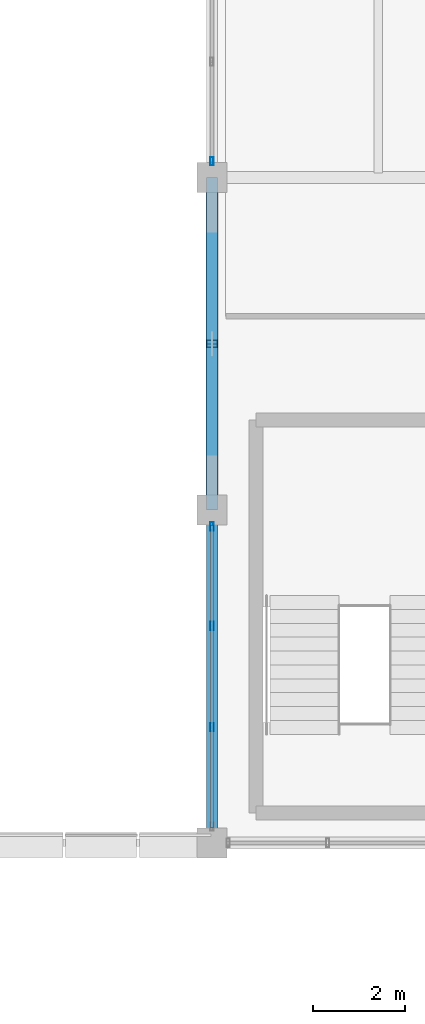
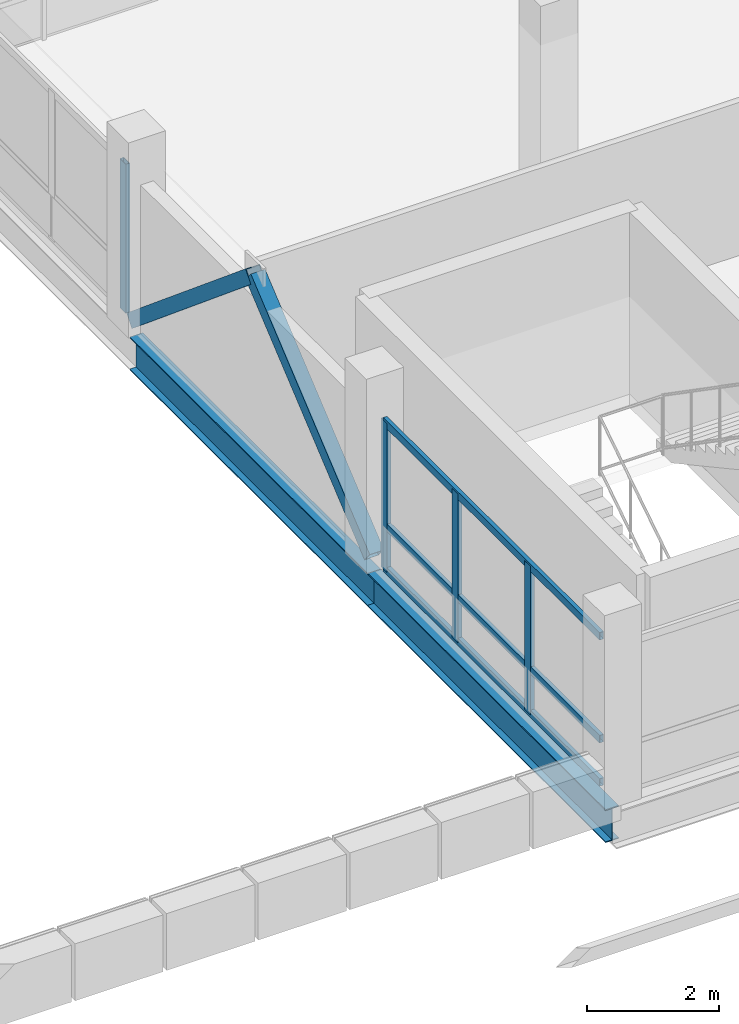
# One storey, part 36 of 96: 9 members, 2 beams, 2 elements without a shape of their own.
"""IFC4 building model written with IfcOpenShell, lengths in metres."""

from ifc_helpers import new_model, si_unit, direction, frame, origin, origin_2d, place, context, subcontext, project, spatial, hollow_rectangle, i_section, extrude, material, material_profile, profile_set, type_object, element, aggregate, save


model = new_model("IFC4")

# Units and contexts
model_context = context("Model", 3, precision=1e-05, world=origin(), true_north=direction((0.0, 1.0)))
body_context = subcontext(model_context, "Body", "Model", "MODEL_VIEW")
ifc_project = project(units=[si_unit("LENGTHUNIT", "METRE"), si_unit("AREAUNIT", "SQUARE_METRE"), si_unit("VOLUMEUNIT", "CUBIC_METRE"), si_unit("PLANEANGLEUNIT", "RADIAN"), si_unit("MASSUNIT", "GRAM", prefix="KILO")], contexts=[model_context])

# Site, building, storey
site_placement = place(None, origin())
site = spatial("IfcSite", under=ifc_project, at=site_placement, CompositionType="ELEMENT")
building_placement = place(site_placement, origin())
building = spatial("IfcBuilding", under=site, at=building_placement, Name="Yarey Park Central Fire Station", CompositionType="ELEMENT")
storey_placement = place(building_placement, frame((0.0, 0.0, 14.39990234375)))
storey = spatial("IfcBuildingStorey", under=building, at=storey_placement, Name="L04", CompositionType="ELEMENT", Elevation=14.39990234375)

# Curtain wall, members
ifc_material_1 = material(Name="Anodized Aluminium Frame", Category="aluminium")
curtain_wall_type = type_object("IfcCurtainWallType", Name="ENV_CW_HQ_L04", PredefinedType="NOTDEFINED", material=ifc_material_1)
curtain_wall_1_placement = place(storey_placement, origin())
curtain_wall_1 = element("IfcCurtainWall", 1, at=curtain_wall_1_placement, inside=storey, type_object=curtain_wall_type, Name="CW_L04_V4_W_93", PredefinedType="NOTDEFINED")
ifc_material_profile_1 = material_profile(ifc_material_1, hollow_rectangle(XDim=0.070068359375, YDim=0.179931640625, WallThickness=0.00390625, at=origin_2d()), Name="ALU 180x70x4")
ifc_profile_set_1 = profile_set([ifc_material_profile_1], Name="Anodized Aluminium Frame")
member_type_1 = type_object("IfcMemberType", Name="ENV_CW_MULLION", PredefinedType="MULLION", material=ifc_profile_set_1)
member_1_placement = place(storey_placement, frame((115.199951171875, 100.449951171875, 0.0), z_axis=(0.0, 0.0, 1.0), x_axis=(1.0, 0.0, 0.0)))
member_1 = element("IfcMember", 2, at=member_1_placement, type_object=member_type_1, Name="CW_L04_V4_W_93_MUL1", PredefinedType="MULLION", context=body_context, shape_type="SweptSolid", body=[
    extrude(hollow_rectangle(XDim=0.070068359375, YDim=0.179931640625, WallThickness=0.00390625, at=origin_2d()), origin(), (0.0, 0.0, 1.0), 2.75),
])
member_2_placement = place(storey_placement, frame((115.199951171875, 98.296630859375, 0.0), z_axis=(0.0, 0.0, 1.0), x_axis=(1.0, 0.0, 0.0)))
member_2 = element("IfcMember", 3, at=member_2_placement, type_object=member_type_1, Name="CW_L04_V4_W_93_MUL2", PredefinedType="MULLION", context=body_context, shape_type="SweptSolid", body=[
    extrude(hollow_rectangle(XDim=0.070068359375, YDim=0.179931640625, WallThickness=0.00390625, at=origin_2d()), origin(), (0.0, 0.0, 1.0), 2.75),
])
member_3_placement = place(storey_placement, frame((115.199951171875, 96.103271484375, 0.0), z_axis=(0.0, 0.0, 1.0), x_axis=(1.0, 0.0, 0.0)))
member_3 = element("IfcMember", 4, at=member_3_placement, type_object=member_type_1, Name="CW_L04_V4_W_93_MUL3", PredefinedType="MULLION", context=body_context, shape_type="SweptSolid", body=[
    extrude(hollow_rectangle(XDim=0.070068359375, YDim=0.179931640625, WallThickness=0.00390625, at=origin_2d()), origin(), (0.0, 0.0, 1.0), 2.75),
])

# Curtain wall, member
curtain_wall_2_placement = place(storey_placement, origin())
curtain_wall_2 = element("IfcCurtainWall", 5, at=curtain_wall_2_placement, inside=storey, type_object=curtain_wall_type, Name="CW_L04_V4_W_108", PredefinedType="NOTDEFINED")
member_4_placement = place(storey_placement, frame((115.199951171875, 108.35009765625, 0.0), z_axis=(0.0, 0.0, 1.0), x_axis=(1.0, 0.0, 0.0)))
member_4 = element("IfcMember", 6, at=member_4_placement, type_object=member_type_1, Name="CW_L04_V4_W_108_MUL4", PredefinedType="MULLION", context=body_context, shape_type="SweptSolid", body=[
    extrude(hollow_rectangle(XDim=0.070068359375, YDim=0.179931640625, WallThickness=0.00390625, at=origin_2d()), origin(), (0.0, 0.0, 1.0), 2.75),
])
aggregate(curtain_wall_2, [member_4])

# Member
ifc_material_profile_2 = material_profile(ifc_material_1, hollow_rectangle(XDim=0.070068359375, YDim=0.139892578125, WallThickness=0.00390625, at=origin_2d()), Name="ALU 140x70x4")
ifc_profile_set_2 = profile_set([ifc_material_profile_2], Name="Anodized Aluminium Frame")
member_type_2 = type_object("IfcMemberType", Name="ENV_CW_TRANSOM", PredefinedType="USERDEFINED", material=ifc_profile_set_2)
member_5_placement = place(storey_placement, frame((115.199951171875, 100.47509765625, 0.025146484375), z_axis=(0.0, -1.0, 0.0), x_axis=(1.0, 0.0, 0.0)))
member_5 = element("IfcMember", 7, at=member_5_placement, type_object=member_type_2, Name="CW_L04_V4_W_93_TRN1", ObjectType="TRANSOM", PredefinedType="USERDEFINED", context=body_context, shape_type="SweptSolid", body=[
    extrude(hollow_rectangle(XDim=0.070068359375, YDim=0.139892578125, WallThickness=0.00390625, at=origin_2d()), origin(), (0.0, 0.0, 1.0), 6.550048828125),
])

member_6_placement = place(storey_placement, frame((115.199951171875, 100.47509765625, 0.8251953125), z_axis=(0.0, -1.0, 0.0), x_axis=(1.0, 0.0, 0.0)))
member_6 = element("IfcMember", 8, at=member_6_placement, type_object=member_type_2, Name="CW_L04_V4_W_93_TRN2", ObjectType="TRANSOM", PredefinedType="USERDEFINED", context=body_context, shape_type="SweptSolid", body=[
    extrude(hollow_rectangle(XDim=0.070068359375, YDim=0.139892578125, WallThickness=0.00390625, at=origin_2d()), origin(), (0.0, 0.0, 1.0), 6.550048828125),
])

member_7_placement = place(storey_placement, frame((115.199951171875, 100.47509765625, 2.72509765625), z_axis=(0.0, -1.0, 0.0), x_axis=(1.0, 0.0, 0.0)))
member_7 = element("IfcMember", 9, at=member_7_placement, type_object=member_type_2, Name="CW_L04_V4_W_93_TRN3", ObjectType="TRANSOM", PredefinedType="USERDEFINED", context=body_context, shape_type="SweptSolid", body=[
    extrude(hollow_rectangle(XDim=0.070068359375, YDim=0.139892578125, WallThickness=0.00390625, at=origin_2d()), origin(), (0.0, 0.0, 1.0), 6.550048828125),
])

aggregate(curtain_wall_1, [member_1, member_2, member_3, member_5, member_6, member_7])

# Beams
ifc_material_2 = material(Name="Steel ASTM A992 Gr. 50", Category="steel")
ifc_material_profile_3 = material_profile(ifc_material_2, i_section(OverallWidth=0.22900390625, OverallDepth=0.612060546875, WebThickness=0.011962890625, FlangeThickness=0.01953125, at=origin_2d()), Name="W610x125")
ifc_profile_set_3 = profile_set([ifc_material_profile_3], Name="Steel ASTM A992 Gr. 50")
beam_type = type_object("IfcBeamType", Name="STR_BM_W610", PredefinedType="BEAM", material=ifc_profile_set_3)
for number, where, z_axis, x_axis, name in (
    (10, (115.199951171875, 93.60009765625, -0.555908203125), (0.0, 1.0, 0.0), (-1.0, 0.0, 0.0), "BMY L04 X1152 Y936"),
    (11, (115.199951171875, 100.800048828125, -0.555908203125), (0.0, 1.0, 0.0), (-1.0, 0.0, 0.0), "BMY L04 X1152 Y1008"),
):
    element("IfcBeam", number, at=place(storey_placement, frame(where, z_axis=z_axis, x_axis=x_axis)), inside=storey, type_object=beam_type, Name=name, PredefinedType="BEAM", context=body_context, shape_type="SweptSolid", body=[
        extrude(i_section(OverallWidth=0.22900390625, OverallDepth=0.612060546875, WebThickness=0.011962890625, FlangeThickness=0.01953125, at=origin_2d()), origin(), (0.0, 0.0, 1.0), 7.199951171875),
    ])

# Members
ifc_material_3 = material(Name="Steel ASTM A500 Gr. C", Category="steel")
ifc_material_profile_4 = material_profile(ifc_material_3, hollow_rectangle(XDim=0.25, YDim=0.25, WallThickness=0.012451171875, at=origin_2d()), Name="HSS 250x250x12.5")
ifc_profile_set_4 = profile_set([ifc_material_profile_4], Name="Steel ASTM A500 Gr. C")
member_type_3 = type_object("IfcMemberType", Name="STR_CBF_HSS250", PredefinedType="BRACE", material=ifc_profile_set_4)
member_8_placement = place(storey_placement, frame((115.199951171875, 100.800048828125, 0.050048828125), z_axis=(0.0, 0.768208468069, 0.640199773186), x_axis=(-1.0, 0.0, 0.0)))
element("IfcMember", 12, at=member_8_placement, inside=storey, type_object=member_type_3, Name="CBF_V4_W1_L04", PredefinedType="BRACE", context=body_context, shape_type="SweptSolid", body=[
    extrude(hollow_rectangle(XDim=0.25, YDim=0.25, WallThickness=0.012451171875, at=origin_2d()), origin(), (0.0, 0.0, 1.0), 4.68603515625),
])
member_9_placement = place(storey_placement, frame((115.199951171875, 108.0, 0.050048828125), z_axis=(0.0, -0.768229820104, 0.640174150918), x_axis=(1.0, 0.0, 0.0)))
element("IfcMember", 13, at=member_9_placement, inside=storey, type_object=member_type_3, Name="CBF_V4_W2_L04", PredefinedType="BRACE", context=body_context, shape_type="SweptSolid", body=[
    extrude(hollow_rectangle(XDim=0.25, YDim=0.25, WallThickness=0.012451171875, at=origin_2d()), origin(), (0.0, 0.0, 1.0), 4.686279296875),
])

save(model, "model.ifc")
